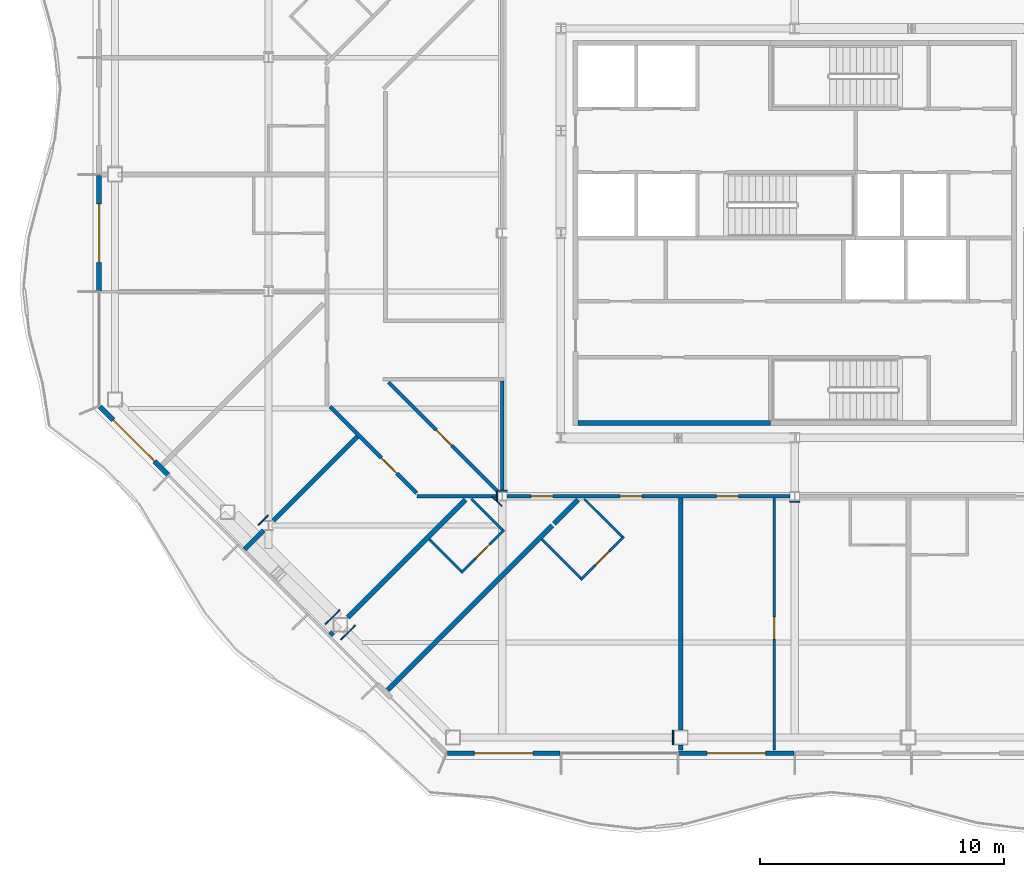
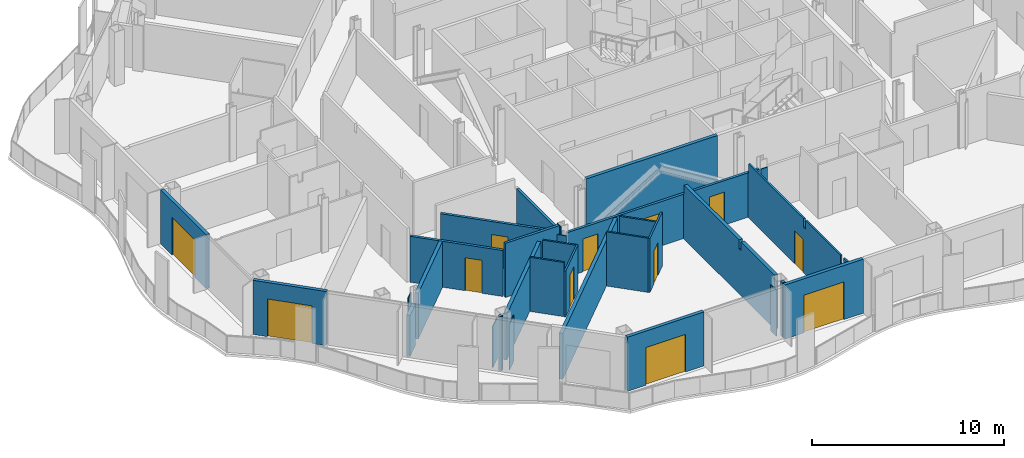
# One storey, part 7 of 21: 33 walls, 12 doors, 12 openings.
"""IFC4 building model written with IfcOpenShell, lengths in metres."""

from ifc_helpers import new_model, si_unit, direction, frame, frame_2d, origin, place, context, subcontext, project, spatial, polyline, rectangle, outline, extrude, material, layer, layer_set, type_object, element, fill, save


model = new_model("IFC4")

# Units and contexts
model_context = context("Model", 3, precision=1e-05, world=origin(), true_north=direction((0.0, 1.0)))
body_context = subcontext(model_context, "Body", "Model", "MODEL_VIEW")
ifc_project = project(units=[si_unit("LENGTHUNIT", "METRE"), si_unit("AREAUNIT", "SQUARE_METRE"), si_unit("VOLUMEUNIT", "CUBIC_METRE"), si_unit("PLANEANGLEUNIT", "RADIAN"), si_unit("MASSUNIT", "GRAM", prefix="KILO")], contexts=[model_context])

# Site, building, storey
site_placement = place(None, origin())
site = spatial("IfcSite", under=ifc_project, at=site_placement, CompositionType="ELEMENT")
building_placement = place(site_placement, origin())
building = spatial("IfcBuilding", under=site, at=building_placement, Name="Cairn Pilgrim Tower", CompositionType="ELEMENT")
storey_placement = place(building_placement, frame((0.0, 0.0, 154.199951171875)))
storey = spatial("IfcBuildingStorey", under=building, at=storey_placement, Name="L38", CompositionType="ELEMENT", Elevation=154.199951171875)

# Wall, opening, door
ifc_material_1 = material(Name="Bronze anodised aluminium insulated sandwich panel with mineral wool fill", Category="aluminium")
ifc_layer_1 = layer(ifc_material_1, 0.199951171875)
ifc_layer_set_1 = layer_set([ifc_layer_1], Name="BRONZE INFILL FRAME WALL 200")
wall_type_1 = type_object("IfcWallType", Name="BRONZE INFILL FRAME WALL 200", PredefinedType="NOTDEFINED", material=ifc_layer_set_1)
wall_1_placement = place(storey_placement, frame((-7.056396484375, -18.949951171875, 0.0), z_axis=(0.0, 0.0, 1.0), x_axis=(1.0, 0.0, 0.0)))
wall_1 = element("IfcWall", 1, at=wall_1_placement, inside=storey, type_object=wall_type_1, Name="Bronze infill frame wall IW-S1", PredefinedType="NOTDEFINED", context=body_context, shape_type="SweptSolid", body=[
    extrude(rectangle(XDim=4.62646484375, YDim=0.199951171875, at=frame_2d((2.313232421875, 0.0))), origin(), (0.0, 0.0, 1.0), 3.449951171875),
])
opening_1_placement = place(wall_1_placement, frame((1.1083984375, 0.0, 0.0)))
opening_1 = element("IfcOpeningElement", 2, at=opening_1_placement, cuts=wall_1, Name="Opening 3819B", PredefinedType="OPENING", context=body_context, shape_type="SweptSolid", body=[
    extrude(rectangle(XDim=2.39990234375, YDim=2.39990234375, at=frame_2d((1.199951171875, 1.199951171875))), frame((0.0, 0.10986328125, 0.0), z_axis=(0.0, -1.0, 0.0), x_axis=(1.0, 0.0, 0.0)), (0.0, 0.0, 1.0), 0.219970703125),
])
ifc_material_2 = material(Name="Bronze anodised aluminium frame with tinted low-E glass", Category="aluminium")
door_type_1 = type_object("IfcDoorType", Name="BALCONY SLIDING DOOR 2400x2400", OperationType="DOUBLE_DOOR_SLIDING", PredefinedType="DOOR", material=ifc_material_2)
door_1_placement = place(opening_1_placement, origin())
door_1 = element("IfcDoor", 3, at=door_1_placement, inside=storey, type_object=door_type_1, Name="Balcony sliding door 3819B", OperationType="SINGLE_SWING_LEFT", OverallHeight=2.39990234375, OverallWidth=2.39990234375, PredefinedType="DOOR", context=body_context, shape_type="SweptSolid", body=[
    extrude(rectangle(XDim=2.39990234375, YDim=2.39990234375, at=frame_2d((1.199951171875, 1.199951171875))), frame((0.0, 0.02490234375, 0.0), z_axis=(0.0, -1.0, 0.0), x_axis=(1.0, 0.0, 0.0)), (0.0, 0.0, 1.0), 0.050048828125),
])
fill(opening_1, door_1)

wall_2_placement = place(storey_placement, frame((2.429931640625, -18.949951171875, 0.0), z_axis=(0.0, 0.0, 1.0), x_axis=(1.0, 0.0, 0.0)))
wall_2 = element("IfcWall", 4, at=wall_2_placement, inside=storey, type_object=wall_type_1, Name="Bronze infill frame wall IW-S3", PredefinedType="NOTDEFINED", context=body_context, shape_type="SweptSolid", body=[
    extrude(rectangle(XDim=4.739990234375, YDim=0.199951171875, at=frame_2d((2.3701171875, 0.0))), origin(), (0.0, 0.0, 1.0), 3.449951171875),
])
opening_2_placement = place(wall_2_placement, frame((1.17041015625, 0.0, 0.0)))
opening_2 = element("IfcOpeningElement", 5, at=opening_2_placement, cuts=wall_2, Name="Opening 3820B", PredefinedType="OPENING", context=body_context, shape_type="SweptSolid", body=[
    extrude(rectangle(XDim=2.39990234375, YDim=2.39990234375, at=frame_2d((1.199951171875, 1.199951171875))), frame((0.0, 0.10986328125, 0.0), z_axis=(0.0, -1.0, 0.0), x_axis=(1.0, 0.0, 0.0)), (0.0, 0.0, 1.0), 0.219970703125),
])
door_2_placement = place(opening_2_placement, origin())
door_2 = element("IfcDoor", 6, at=door_2_placement, inside=storey, type_object=door_type_1, Name="Balcony sliding door 3820B", OperationType="SINGLE_SWING_LEFT", OverallHeight=2.39990234375, OverallWidth=2.39990234375, PredefinedType="DOOR", context=body_context, shape_type="SweptSolid", body=[
    extrude(rectangle(XDim=2.39990234375, YDim=2.39990234375, at=frame_2d((1.199951171875, 1.199951171875))), frame((0.0, 0.02490234375, 0.0), z_axis=(0.0, -1.0, 0.0), x_axis=(1.0, 0.0, 0.0)), (0.0, 0.0, 1.0), 0.050048828125),
])
fill(opening_2, door_2)

wall_3_placement = place(storey_placement, frame((-21.35009765625, 4.77001953125, 0.0), z_axis=(0.0, 0.0, 1.0), x_axis=(0.0, -1.0, 0.0)))
wall_3 = element("IfcWall", 7, at=wall_3_placement, inside=storey, type_object=wall_type_1, Name="Bronze infill frame wall IW-W3", PredefinedType="NOTDEFINED", context=body_context, shape_type="SweptSolid", body=[
    extrude(rectangle(XDim=4.739990234375, YDim=0.199951171875, at=frame_2d((2.3701171875, 0.0))), origin(), (0.0, 0.0, 1.0), 3.449951171875),
])
opening_3_placement = place(wall_3_placement, frame((1.169921875, 0.0, 0.0)))
opening_3 = element("IfcOpeningElement", 8, at=opening_3_placement, cuts=wall_3, Name="Opening 3815B", PredefinedType="OPENING", context=body_context, shape_type="SweptSolid", body=[
    extrude(rectangle(XDim=2.39990234375, YDim=2.39990234375, at=frame_2d((1.199951171875, 1.199951171875))), frame((0.0, 0.10986328125, 0.0), z_axis=(0.0, -1.0, 0.0), x_axis=(1.0, 0.0, 0.0)), (0.0, 0.0, 1.0), 0.219970703125),
])
door_3_placement = place(opening_3_placement, origin())
door_3 = element("IfcDoor", 9, at=door_3_placement, inside=storey, type_object=door_type_1, Name="Balcony sliding door 3815B", OperationType="SINGLE_SWING_LEFT", OverallHeight=2.39990234375, OverallWidth=2.39990234375, PredefinedType="DOOR", context=body_context, shape_type="SweptSolid", body=[
    extrude(rectangle(XDim=2.39990234375, YDim=2.39990234375, at=frame_2d((1.199951171875, 1.199951171875))), frame((0.0, 0.02490234375, 0.0), z_axis=(0.0, -1.0, 0.0), x_axis=(1.0, 0.0, 0.0)), (0.0, 0.0, 1.0), 0.050048828125),
])
fill(opening_3, door_3)

wall_4_placement = place(storey_placement, frame((-21.32177734375, -4.724609375, 0.0), z_axis=(0.0, 0.0, 1.0), x_axis=(0.707106781187, -0.707106781187, 0.0)))
wall_4 = element("IfcWall", 10, at=wall_4_placement, inside=storey, type_object=wall_type_1, Name="Bronze infill frame wall IW-SW1", PredefinedType="NOTDEFINED", context=body_context, shape_type="SweptSolid", body=[
    extrude(rectangle(XDim=3.961669921875, YDim=0.199951171875, at=frame_2d((1.98095703125, 0.0))), origin(), (0.0, 0.0, 1.0), 3.449951171875),
])
opening_4_placement = place(wall_4_placement, frame((0.775390625, 0.0, 0.0)))
opening_4 = element("IfcOpeningElement", 11, at=opening_4_placement, cuts=wall_4, Name="Opening 3822B", PredefinedType="OPENING", context=body_context, shape_type="SweptSolid", body=[
    extrude(rectangle(XDim=2.39990234375, YDim=2.39990234375, at=frame_2d((1.199951171875, 1.199951171875))), frame((0.0, 0.10986328125, 0.0), z_axis=(0.0, -1.0, 0.0), x_axis=(1.0, 0.0, 0.0)), (0.0, 0.0, 1.0), 0.219970703125),
])
door_4_placement = place(opening_4_placement, origin())
door_4 = element("IfcDoor", 12, at=door_4_placement, inside=storey, type_object=door_type_1, Name="Balcony sliding door 3822B", OperationType="SINGLE_SWING_LEFT", OverallHeight=2.39990234375, OverallWidth=2.39990234375, PredefinedType="DOOR", context=body_context, shape_type="SweptSolid", body=[
    extrude(rectangle(XDim=2.39990234375, YDim=2.39990234375, at=frame_2d((1.199951171875, 1.199951171875))), frame((0.0, 0.02490234375, 0.0), z_axis=(0.0, -1.0, 0.0), x_axis=(1.0, 0.0, 0.0)), (0.0, 0.0, 1.0), 0.050048828125),
])
fill(opening_4, door_4)

# Wall
ifc_material_3 = material(Name="Concrete C32/40", Category="concrete")
ifc_layer_2 = layer(ifc_material_3, 0.199951171875)
ifc_layer_set_2 = layer_set([ifc_layer_2], Name="CORE OUTER WALL 200 EI 120")
wall_type_2 = type_object("IfcWallType", Name="CORE OUTER WALL 200 EI 120", PredefinedType="SOLIDWALL", material=ifc_layer_set_2)
wall_5_placement = place(storey_placement, frame((-1.699951171875, -5.39990234375, 0.0), z_axis=(0.0, 0.0, 1.0), x_axis=(1.0, 0.0, 0.0)))
element("IfcWall", 13, at=wall_5_placement, inside=storey, type_object=wall_type_2, Name="CW:L38:H01-1", PredefinedType="SOLIDWALL", context=body_context, shape_type="SweptSolid", body=[
    extrude(rectangle(XDim=7.89990234375, YDim=0.199951171875, at=frame_2d((3.949951171875, 0.0))), origin(), (0.0, 0.0, 1.0), 3.449951171875),
])

# Wall, opening, door
ifc_material_4 = material(Name="Gypsum partition")
ifc_layer_3 = layer(ifc_material_4, 0.10009765625)
ifc_layer_set_3 = layer_set([ifc_layer_3], Name="PARTITION 100 DRYWALL")
wall_type_3 = type_object("IfcWallType", Name="PARTITION 100 DRYWALL", PredefinedType="PARTITIONING", material=ifc_layer_set_3)
wall_6_placement = place(storey_placement, frame((6.35791015625, -18.820068359375, 0.0), z_axis=(0.0, 0.0, 1.0), x_axis=(0.0, 1.0, 0.0)))
wall_6 = element("IfcWall", 14, at=wall_6_placement, inside=storey, type_object=wall_type_3, Name="PARTITION W002", PredefinedType="PARTITIONING", context=body_context, shape_type="SweptSolid", body=[
    extrude(outline(polyline([(0.0, 0.0), (10.344970703125, 0.0), (10.344970703125, 2.830078125), (10.27001953125, 2.830078125), (10.26806640625, 3.449951171875), (4.52490234375, 3.449951171875), (4.52294921875, 2.880126953125), (4.31494140625, 2.880126953125), (4.31298828125, 3.449951171875), (0.669921875, 3.449951171875), (0.66796875, 2.929931640625), (0.3701171875, 2.929931640625), (0.367919921875, 3.449951171875), (0.0, 3.449951171875), (0.0, 0.0)])), frame((0.0, 0.050048828125, 0.0), z_axis=(0.0, -1.0, 0.0), x_axis=(1.0, 0.0, 0.0)), (0.0, 0.0, 1.0), 0.10009765625),
])
opening_5_placement = place(wall_6_placement, frame((4.570068359375, 0.0, 0.0)))
opening_5 = element("IfcOpeningElement", 15, at=opening_5_placement, cuts=wall_6, Name="Opening 3820C", PredefinedType="OPENING", context=body_context, shape_type="SweptSolid", body=[
    extrude(rectangle(XDim=0.89990234375, YDim=2.10009765625, at=frame_2d((0.449951171875, 1.050048828125))), frame((0.0, 0.06005859375, 0.0), z_axis=(0.0, -1.0, 0.0), x_axis=(1.0, 0.0, 0.0)), (0.0, 0.0, 1.0), 0.1201171875),
])
ifc_material_5 = material(Name="Timber door leaf", Category="wood")
door_type_2 = type_object("IfcDoorType", Name="SERVICE DOOR 900x2100", OperationType="NOTDEFINED", PredefinedType="DOOR", material=ifc_material_5)
door_5_placement = place(opening_5_placement, origin())
door_5 = element("IfcDoor", 16, at=door_5_placement, inside=storey, type_object=door_type_2, Name="DOOR 3820C", OperationType="SINGLE_SWING_LEFT", OverallHeight=2.10009765625, OverallWidth=0.89990234375, PredefinedType="DOOR", context=body_context, shape_type="SweptSolid", body=[
    extrude(rectangle(XDim=0.89990234375, YDim=2.10009765625, at=frame_2d((0.449951171875, 1.050048828125))), frame((0.0, 0.02490234375, 0.0), z_axis=(0.0, -1.0, 0.0), x_axis=(1.0, 0.0, 0.0)), (0.0, 0.0, 1.0), 0.050048828125),
])
fill(opening_5, door_5)

# Wall
wall_7_placement = place(storey_placement, frame((-1.58740234375, -11.758544921875, 0.0), z_axis=(0.0, 0.0, 1.0), x_axis=(-0.706889644159, 0.707323851557, 0.0)))
element("IfcWall", 17, at=wall_7_placement, inside=storey, type_object=wall_type_3, Name="PARTITION W011", PredefinedType="PARTITIONING", context=body_context, shape_type="SweptSolid", body=[
    extrude(rectangle(XDim=2.2490234375, YDim=0.10009765625, at=frame_2d((1.12451171875, 0.0))), origin(), (0.0, 0.0, 1.0), 3.449951171875),
])

# Wall, opening, door
wall_8_placement = place(storey_placement, frame((-1.58740234375, -11.829345703125, 0.0), z_axis=(0.0, 0.0, 1.0), x_axis=(0.707350821469, 0.706862656651, 0.0)))
wall_8 = element("IfcWall", 18, at=wall_8_placement, inside=storey, type_object=wall_type_3, Name="PARTITION W012", PredefinedType="PARTITIONING", context=body_context, shape_type="SweptSolid", body=[
    extrude(rectangle(XDim=2.50048828125, YDim=0.10009765625, at=frame_2d((1.250244140625, 0.0))), origin(), (0.0, 0.0, 1.0), 3.449951171875),
])
opening_6_placement = place(wall_8_placement, frame((0.85009765625, 0.0, 0.0)))
opening_6 = element("IfcOpeningElement", 19, at=opening_6_placement, cuts=wall_8, Name="Opening 3819A", PredefinedType="OPENING", context=body_context, shape_type="SweptSolid", body=[
    extrude(rectangle(XDim=0.800048828125, YDim=2.10009765625, at=frame_2d((0.39990234375, 1.050048828125))), frame((0.0, 0.06005859375, 0.0), z_axis=(0.0, -1.0, 0.0), x_axis=(1.0, 0.0, 0.0)), (0.0, 0.0, 1.0), 0.1201171875),
])
door_type_3 = type_object("IfcDoorType", Name="WC DOOR 800x2100", OperationType="NOTDEFINED", PredefinedType="DOOR", material=ifc_material_5)
door_6_placement = place(opening_6_placement, frame((0.800048828125, 0.0, 0.0), z_axis=(0.0, 0.0, 1.0), x_axis=(-1.0, 0.0, 0.0)))
door_6 = element("IfcDoor", 20, at=door_6_placement, inside=storey, type_object=door_type_3, Name="DOOR 3819A", OperationType="SINGLE_SWING_RIGHT", OverallHeight=2.10009765625, OverallWidth=0.800048828125, PredefinedType="DOOR", context=body_context, shape_type="SweptSolid", body=[
    extrude(rectangle(XDim=0.800048828125, YDim=2.10009765625, at=frame_2d((0.39990234375, 1.050048828125))), frame((0.0, 0.02490234375, 0.0), z_axis=(0.0, -1.0, 0.0), x_axis=(1.0, 0.0, 0.0)), (0.0, 0.0, 1.0), 0.050048828125),
])
fill(opening_6, door_6)

# Wall
wall_9_placement = place(storey_placement, frame((-6.494384765625, -11.4755859375, 0.0), z_axis=(0.0, 0.0, 1.0), x_axis=(-0.707106781187, 0.707106781187, 0.0)))
element("IfcWall", 21, at=wall_9_placement, inside=storey, type_object=wall_type_3, Name="PARTITION W013", PredefinedType="PARTITIONING", context=body_context, shape_type="SweptSolid", body=[
    extrude(rectangle(XDim=1.849609375, YDim=0.10009765625, at=frame_2d((0.9248046875, 0.0))), origin(), (0.0, 0.0, 1.0), 3.449951171875),
])

# Wall, opening, door
wall_10_placement = place(storey_placement, frame((-6.494384765625, -11.54638671875, 0.0), z_axis=(0.0, 0.0, 1.0), x_axis=(0.707106781187, 0.707106781187, 0.0)))
wall_10 = element("IfcWall", 22, at=wall_10_placement, inside=storey, type_object=wall_type_3, Name="PARTITION W014", PredefinedType="PARTITIONING", context=body_context, shape_type="SweptSolid", body=[
    extrude(rectangle(XDim=2.499755859375, YDim=0.10009765625, at=frame_2d((1.25, 0.0))), origin(), (0.0, 0.0, 1.0), 2.929931640625),
])
opening_7_placement = place(wall_10_placement, frame((0.85009765625, 0.0, 0.0)))
opening_7 = element("IfcOpeningElement", 23, at=opening_7_placement, cuts=wall_10, Name="Opening 3818A", PredefinedType="OPENING", context=body_context, shape_type="SweptSolid", body=[
    extrude(rectangle(XDim=0.800048828125, YDim=2.10009765625, at=frame_2d((0.39990234375, 1.050048828125))), frame((0.0, 0.06005859375, 0.0), z_axis=(0.0, -1.0, 0.0), x_axis=(1.0, 0.0, 0.0)), (0.0, 0.0, 1.0), 0.1201171875),
])
door_7_placement = place(opening_7_placement, frame((0.800048828125, 0.0, 0.0), z_axis=(0.0, 0.0, 1.0), x_axis=(-1.0, 0.0, 0.0)))
door_7 = element("IfcDoor", 24, at=door_7_placement, inside=storey, type_object=door_type_3, Name="DOOR 3818A", OperationType="SINGLE_SWING_RIGHT", OverallHeight=2.10009765625, OverallWidth=0.800048828125, PredefinedType="DOOR", context=body_context, shape_type="SweptSolid", body=[
    extrude(rectangle(XDim=0.800048828125, YDim=2.10009765625, at=frame_2d((0.39990234375, 1.050048828125))), frame((0.0, 0.02490234375, 0.0), z_axis=(0.0, -1.0, 0.0), x_axis=(1.0, 0.0, 0.0)), (0.0, 0.0, 1.0), 0.050048828125),
])
fill(opening_7, door_7)

# Walls
wall_11_placement = place(storey_placement, frame((0.110595703125, -10.0615234375, 0.0), z_axis=(0.0, 0.0, 1.0), x_axis=(-0.70732924673, 0.706884245631, 0.0)))
element("IfcWall", 25, at=wall_11_placement, inside=storey, type_object=wall_type_3, Name="PARTITION W020", PredefinedType="PARTITIONING", context=body_context, shape_type="SweptSolid", body=[
    extrude(rectangle(XDim=2.194580078125, YDim=0.10009765625, at=frame_2d((1.09716796875, 0.0))), origin(), (0.0, 0.0, 1.0), 2.830078125),
])
wall_12_placement = place(storey_placement, frame((-4.79736328125, -9.778564453125, 0.0), z_axis=(0.0, 0.0, 1.0), x_axis=(-0.707174840937, 0.707038714885, 0.0)))
element("IfcWall", 26, at=wall_12_placement, inside=storey, type_object=wall_type_3, Name="PARTITION W021", PredefinedType="PARTITIONING", context=body_context, shape_type="SweptSolid", body=[
    extrude(rectangle(XDim=1.79345703125, YDim=0.10009765625, at=frame_2d((0.896728515625, 0.0))), origin(), (0.0, 0.0, 1.0), 2.929931640625),
])
ifc_layer_4 = layer(ifc_material_4, 0.14990234375)
ifc_layer_set_4 = layer_set([ifc_layer_4], Name="PARTITION 150 DRYWALL EI 60")
wall_type_4 = type_object("IfcWallType", Name="PARTITION 150 DRYWALL EI 60", PredefinedType="PARTITIONING", material=ifc_layer_set_4)
wall_13_placement = place(storey_placement, frame((-8.300048828125, -8.39990234375, 0.0), z_axis=(0.0, 0.0, 1.0), x_axis=(1.0, 0.0, 0.0)))
element("IfcWall", 27, at=wall_13_placement, inside=storey, type_object=wall_type_4, Name="PARTITION W026", PredefinedType="PARTITIONING", context=body_context, shape_type="SweptSolid", body=[
    extrude(rectangle(XDim=3.300537109375, YDim=0.14990234375, at=frame_2d((1.650390625, 0.0))), origin(), (0.0, 0.0, 1.0), 3.449951171875),
])

# Wall, openings, doors
wall_14_placement = place(storey_placement, frame((-4.6005859375, -8.39990234375, 0.0), z_axis=(0.0, 0.0, 1.0), x_axis=(1.0, 0.0, 0.0)))
wall_14 = element("IfcWall", 28, at=wall_14_placement, inside=storey, type_object=wall_type_4, Name="PARTITION W027", PredefinedType="PARTITIONING", context=body_context, shape_type="SweptSolid", body=[
    extrude(rectangle(XDim=11.60107421875, YDim=0.14990234375, at=frame_2d((5.800537109375, 0.0))), origin(), (0.0, 0.0, 1.0), 2.830078125),
])
opening_8_placement = place(wall_14_placement, frame((0.974365234375, 0.0, 0.0)))
opening_8 = element("IfcOpeningElement", 29, at=opening_8_placement, cuts=wall_14, Name="Opening 3818", PredefinedType="OPENING", context=body_context, shape_type="SweptSolid", body=[
    extrude(rectangle(XDim=0.89990234375, YDim=2.10009765625, at=frame_2d((0.449951171875, 1.050048828125))), frame((0.0, 0.0849609375, 0.0), z_axis=(0.0, -1.0, 0.0), x_axis=(1.0, 0.0, 0.0)), (0.0, 0.0, 1.0), 0.169921875),
])
opening_9_placement = place(wall_14_placement, frame((4.636474609375, 0.0, 0.0)))
opening_9 = element("IfcOpeningElement", 30, at=opening_9_placement, cuts=wall_14, Name="Opening 3819", PredefinedType="OPENING", context=body_context, shape_type="SweptSolid", body=[
    extrude(rectangle(XDim=0.89990234375, YDim=2.10009765625, at=frame_2d((0.449951171875, 1.050048828125))), frame((0.0, 0.0849609375, 0.0), z_axis=(0.0, -1.0, 0.0), x_axis=(1.0, 0.0, 0.0)), (0.0, 0.0, 1.0), 0.169921875),
])
opening_10_placement = place(wall_14_placement, frame((8.591552734375, 0.0, 0.0)))
opening_10 = element("IfcOpeningElement", 31, at=opening_10_placement, cuts=wall_14, Name="Opening 3820", PredefinedType="OPENING", context=body_context, shape_type="SweptSolid", body=[
    extrude(rectangle(XDim=0.89990234375, YDim=2.10009765625, at=frame_2d((0.449951171875, 1.050048828125))), frame((0.0, 0.0849609375, 0.0), z_axis=(0.0, -1.0, 0.0), x_axis=(1.0, 0.0, 0.0)), (0.0, 0.0, 1.0), 0.169921875),
])
door_type_4 = type_object("IfcDoorType", Name="ROOM DOOR 900x2100 FD30S", OperationType="NOTDEFINED", PredefinedType="DOOR", material=ifc_material_5)
door_8_placement = place(opening_8_placement, frame((0.89990234375, 0.0, 0.0), z_axis=(0.0, 0.0, 1.0), x_axis=(-1.0, 0.0, 0.0)))
door_8 = element("IfcDoor", 32, at=door_8_placement, inside=storey, type_object=door_type_4, Name="DOOR 3818", OperationType="SINGLE_SWING_RIGHT", OverallHeight=2.10009765625, OverallWidth=0.89990234375, PredefinedType="DOOR", context=body_context, shape_type="SweptSolid", body=[
    extrude(rectangle(XDim=0.89990234375, YDim=2.10009765625, at=frame_2d((0.449951171875, 1.050048828125))), frame((0.0, 0.02490234375, 0.0), z_axis=(0.0, -1.0, 0.0), x_axis=(1.0, 0.0, 0.0)), (0.0, 0.0, 1.0), 0.050048828125),
])
fill(opening_8, door_8)
door_9_placement = place(opening_9_placement, frame((0.89990234375, 0.0, 0.0), z_axis=(0.0, 0.0, 1.0), x_axis=(-1.0, 0.0, 0.0)))
door_9 = element("IfcDoor", 33, at=door_9_placement, inside=storey, type_object=door_type_4, Name="DOOR 3819", OperationType="SINGLE_SWING_RIGHT", OverallHeight=2.10009765625, OverallWidth=0.89990234375, PredefinedType="DOOR", context=body_context, shape_type="SweptSolid", body=[
    extrude(rectangle(XDim=0.89990234375, YDim=2.10009765625, at=frame_2d((0.449951171875, 1.050048828125))), frame((0.0, 0.02490234375, 0.0), z_axis=(0.0, -1.0, 0.0), x_axis=(1.0, 0.0, 0.0)), (0.0, 0.0, 1.0), 0.050048828125),
])
fill(opening_9, door_9)
door_10_placement = place(opening_10_placement, frame((0.89990234375, 0.0, 0.0), z_axis=(0.0, 0.0, 1.0), x_axis=(-1.0, 0.0, 0.0)))
door_10 = element("IfcDoor", 34, at=door_10_placement, inside=storey, type_object=door_type_4, Name="DOOR 3820", OperationType="SINGLE_SWING_LEFT", OverallHeight=2.10009765625, OverallWidth=0.89990234375, PredefinedType="DOOR", context=body_context, shape_type="SweptSolid", body=[
    extrude(rectangle(XDim=0.89990234375, YDim=2.10009765625, at=frame_2d((0.449951171875, 1.050048828125))), frame((0.0, 0.02490234375, 0.0), z_axis=(0.0, -1.0, 0.0), x_axis=(1.0, 0.0, 0.0)), (0.0, 0.0, 1.0), 0.050048828125),
])
fill(opening_10, door_10)

# Wall, opening, door
wall_15_placement = place(storey_placement, frame((-8.322021484375, -8.27197265625, 0.0), z_axis=(0.0, 0.0, 1.0), x_axis=(-0.707106781187, 0.707106781187, 0.0)))
wall_15 = element("IfcWall", 35, at=wall_15_placement, inside=storey, type_object=wall_type_4, Name="PARTITION W030", PredefinedType="PARTITIONING", context=body_context, shape_type="SweptSolid", body=[
    extrude(rectangle(XDim=5.0205078125, YDim=0.14990234375, at=frame_2d((2.51025390625, 0.0))), origin(), (0.0, 0.0, 1.0), 2.929931640625),
])
opening_11_placement = place(wall_15_placement, frame((1.138916015625, 0.0, 0.0)))
opening_11 = element("IfcOpeningElement", 36, at=opening_11_placement, cuts=wall_15, Name="Opening 3817", PredefinedType="OPENING", context=body_context, shape_type="SweptSolid", body=[
    extrude(rectangle(XDim=0.89990234375, YDim=2.10009765625, at=frame_2d((0.449951171875, 1.050048828125))), frame((0.0, 0.0849609375, 0.0), z_axis=(0.0, -1.0, 0.0), x_axis=(1.0, 0.0, 0.0)), (0.0, 0.0, 1.0), 0.169921875),
])
door_type_5 = type_object("IfcDoorType", Name="SERVICE DOOR 900x2100 FD30S", OperationType="NOTDEFINED", PredefinedType="DOOR", material=ifc_material_5)
door_11_placement = place(opening_11_placement, origin())
door_11 = element("IfcDoor", 37, at=door_11_placement, inside=storey, type_object=door_type_5, Name="DOOR 3817", OperationType="SINGLE_SWING_RIGHT", OverallHeight=2.10009765625, OverallWidth=0.89990234375, PredefinedType="DOOR", context=body_context, shape_type="SweptSolid", body=[
    extrude(rectangle(XDim=0.89990234375, YDim=2.10009765625, at=frame_2d((0.449951171875, 1.050048828125))), frame((0.0, 0.02490234375, 0.0), z_axis=(0.0, -1.0, 0.0), x_axis=(1.0, 0.0, 0.0)), (0.0, 0.0, 1.0), 0.050048828125),
])
fill(opening_11, door_11)

wall_16_placement = place(storey_placement, frame((-4.998046875, -8.201904296875, 0.0), z_axis=(0.0, 0.0, 1.0), x_axis=(-0.707106781187, 0.707106781187, 0.0)))
wall_16 = element("IfcWall", 38, at=wall_16_placement, inside=storey, type_object=wall_type_4, Name="PARTITION W032", PredefinedType="PARTITIONING", context=body_context, shape_type="SweptSolid", body=[
    extrude(rectangle(XDim=6.326904296875, YDim=0.14990234375, at=frame_2d((3.16357421875, 0.0))), origin(), (0.0, 0.0, 1.0), 2.929931640625),
])
opening_12_placement = place(wall_16_placement, frame((2.664306640625, 0.0, 0.0)))
opening_12 = element("IfcOpeningElement", 39, at=opening_12_placement, cuts=wall_16, Name="Opening 3829", PredefinedType="OPENING", context=body_context, shape_type="SweptSolid", body=[
    extrude(rectangle(XDim=0.89990234375, YDim=2.10009765625, at=frame_2d((0.449951171875, 1.050048828125))), frame((0.0, 0.0849609375, 0.0), z_axis=(0.0, -1.0, 0.0), x_axis=(1.0, 0.0, 0.0)), (0.0, 0.0, 1.0), 0.169921875),
])
door_12_placement = place(opening_12_placement, frame((0.89990234375, 0.0, 0.0), z_axis=(0.0, 0.0, 1.0), x_axis=(-1.0, 0.0, 0.0)))
door_12 = element("IfcDoor", 40, at=door_12_placement, inside=storey, type_object=door_type_5, Name="DOOR 3829", OperationType="SINGLE_SWING_LEFT", OverallHeight=2.10009765625, OverallWidth=0.89990234375, PredefinedType="DOOR", context=body_context, shape_type="SweptSolid", body=[
    extrude(rectangle(XDim=0.89990234375, YDim=2.10009765625, at=frame_2d((0.449951171875, 1.050048828125))), frame((0.0, 0.02490234375, 0.0), z_axis=(0.0, -1.0, 0.0), x_axis=(1.0, 0.0, 0.0)), (0.0, 0.0, 1.0), 0.050048828125),
])
fill(opening_12, door_12)

# Walls
wall_17_placement = place(storey_placement, frame((-4.800048828125, -8.20361328125, 0.0), z_axis=(0.0, 0.0, 1.0), x_axis=(0.0, 1.0, 0.0)))
element("IfcWall", 41, at=wall_17_placement, inside=storey, type_object=wall_type_4, Name="PARTITION W033", PredefinedType="PARTITIONING", context=body_context, shape_type="SweptSolid", body=[
    extrude(rectangle(XDim=4.528564453125, YDim=0.14990234375, at=frame_2d((2.26416015625, 0.0))), origin(), (0.0, 0.0, 1.0), 2.830078125),
])
ifc_layer_5 = layer(ifc_material_4, 0.050048828125)
ifc_layer_set_5 = layer_set([ifc_layer_5], Name="PARTITION 50 DRYWALL EI 60")
wall_type_5 = type_object("IfcWallType", Name="PARTITION 50 DRYWALL EI 60", PredefinedType="PARTITIONING", material=ifc_layer_set_5)
wall_18_placement = place(storey_placement, frame((2.19921875, -18.60009765625, 0.0), z_axis=(0.0, 0.0, 1.0), x_axis=(0.0, 1.0, 0.0)))
element("IfcWall", 42, at=wall_18_placement, inside=storey, type_object=wall_type_5, Name="COLUMN CASING WC01", PredefinedType="PARTITIONING", context=body_context, shape_type="SweptSolid", body=[
    extrude(rectangle(XDim=0.60009765625, YDim=0.050048828125, at=frame_2d((0.300048828125, 0.0))), origin(), (0.0, 0.0, 1.0), 2.929931640625),
])
wall_19_placement = place(storey_placement, frame((-12.069091796875, -13.657958984375, 0.0), z_axis=(0.0, 0.0, 1.0), x_axis=(0.707106781187, 0.707106781187, 0.0)))
element("IfcWall", 43, at=wall_19_placement, inside=storey, type_object=wall_type_5, Name="COLUMN CASING WC03", PredefinedType="PARTITIONING", context=body_context, shape_type="SweptSolid", body=[
    extrude(rectangle(XDim=0.848388671875, YDim=0.050048828125, at=frame_2d((0.42431640625, 0.0))), origin(), (0.0, 0.0, 1.0), 2.630126953125),
])
wall_20_placement = place(storey_placement, frame((-11.433837890625, -14.29345703125, 0.0), z_axis=(0.0, 0.0, 1.0), x_axis=(0.707106781187, 0.707106781187, 0.0)))
element("IfcWall", 44, at=wall_20_placement, inside=storey, type_object=wall_type_5, Name="COLUMN CASING WC04", PredefinedType="PARTITIONING", context=body_context, shape_type="SweptSolid", body=[
    extrude(rectangle(XDim=0.8486328125, YDim=0.050048828125, at=frame_2d((0.42431640625, 0.0))), origin(), (0.0, 0.0, 1.0), 2.929931640625),
])
wall_21_placement = place(storey_placement, frame((-14.813720703125, -9.582275390625, 0.0), z_axis=(0.0, 0.0, 1.0), x_axis=(0.707106781187, 0.707106781187, 0.0)))
element("IfcWall", 45, at=wall_21_placement, inside=storey, type_object=wall_type_5, Name="COLUMN CASING WC07", PredefinedType="PARTITIONING", context=body_context, shape_type="SweptSolid", body=[
    extrude(rectangle(XDim=0.56005859375, YDim=0.050048828125, at=frame_2d((0.280029296875, 0.0))), origin(), (0.0, 0.0, 1.0), 2.929931640625),
])
wall_22_placement = place(storey_placement, frame((-4.99951171875, -8.178466796875, 0.0), z_axis=(0.0, 0.0, 1.0), x_axis=(1.0, 0.0, 0.0)))
element("IfcWall", 46, at=wall_22_placement, inside=storey, type_object=wall_type_5, Name="COLUMN CASING WC10", PredefinedType="PARTITIONING", context=body_context, shape_type="SweptSolid", body=[
    extrude(rectangle(XDim=0.39892578125, YDim=0.050048828125, at=frame_2d((0.199462890625, 0.0))), origin(), (0.0, 0.0, 1.0), 2.830078125),
])
wall_23_placement = place(storey_placement, frame((7.00048828125, -8.62158203125, 0.0), z_axis=(0.0, 0.0, 1.0), x_axis=(1.0, 0.0, 0.0)))
element("IfcWall", 47, at=wall_23_placement, inside=storey, type_object=wall_type_5, Name="COLUMN CASING WC11", PredefinedType="PARTITIONING", context=body_context, shape_type="SweptSolid", body=[
    extrude(rectangle(XDim=0.39892578125, YDim=0.050048828125, at=frame_2d((0.199462890625, 0.0))), origin(), (0.0, 0.0, 1.0), 2.929931640625),
])
wall_24_placement = place(storey_placement, frame((-4.817626953125, -8.813720703125, 0.0), z_axis=(0.0, 0.0, 1.0), x_axis=(-0.707106781187, 0.707106781187, 0.0)))
element("IfcWall", 48, at=wall_24_placement, inside=storey, type_object=wall_type_5, Name="COLUMN CASING WC13", PredefinedType="PARTITIONING", context=body_context, shape_type="SweptSolid", body=[
    extrude(rectangle(XDim=0.56005859375, YDim=0.050048828125, at=frame_2d((0.280029296875, 0.0))), origin(), (0.0, 0.0, 1.0), 2.929931640625),
])
wall_25_placement = place(storey_placement, frame((-5.0244140625, -8.596435546875, 0.0), z_axis=(0.0, 0.0, 1.0), x_axis=(0.0, 1.0, 0.0)))
element("IfcWall", 49, at=wall_25_placement, inside=storey, type_object=wall_type_5, Name="COLUMN CASING WC14", PredefinedType="PARTITIONING", context=body_context, shape_type="SweptSolid", body=[
    extrude(rectangle(XDim=0.392822265625, YDim=0.050048828125, at=frame_2d((0.1962890625, 0.0))), origin(), (0.0, 0.0, 1.0), 3.449951171875),
])
ifc_layer_6 = layer(ifc_material_4, 0.199951171875)
ifc_layer_set_6 = layer_set([ifc_layer_6], Name="SHAFT WALL 200 GYPSUM EI 60")
wall_type_6 = type_object("IfcWallType", Name="SHAFT WALL 200 GYPSUM EI 60", PredefinedType="PARTITIONING", material=ifc_layer_set_6)
wall_26_placement = place(storey_placement, frame((2.52392578125, -18.820068359375, 0.0), z_axis=(0.0, 0.0, 1.0), x_axis=(0.0, 1.0, 0.0)))
element("IfcWall", 50, at=wall_26_placement, inside=storey, type_object=wall_type_6, Name="PARTITION W001", PredefinedType="PARTITIONING", context=body_context, shape_type="SweptSolid", body=[
    extrude(rectangle(XDim=0.219970703125, YDim=0.199951171875, at=frame_2d((0.10986328125, 0.0))), origin(), (0.0, 0.0, 1.0), 3.449951171875),
])
wall_27_placement = place(storey_placement, frame((2.52392578125, -18.0, 0.0), z_axis=(0.0, 0.0, 1.0), x_axis=(0.0, 1.0, 0.0)))
element("IfcWall", 51, at=wall_27_placement, inside=storey, type_object=wall_type_6, Name="PARTITION W004", PredefinedType="PARTITIONING", context=body_context, shape_type="SweptSolid", body=[
    extrude(outline(polyline([(0.0, 0.0), (9.52490234375, 0.0), (9.52490234375, 2.830078125), (9.449951171875, 2.830078125), (9.447998046875, 3.449951171875), (3.705078125, 3.449951171875), (3.702880859375, 2.880126953125), (3.4951171875, 2.880126953125), (3.492919921875, 3.449951171875), (0.0, 3.449951171875), (0.0, 0.0)])), frame((0.0, 0.10009765625, 0.0), z_axis=(0.0, -1.0, 0.0), x_axis=(1.0, 0.0, 0.0)), (0.0, 0.0, 1.0), 0.199951171875),
])
wall_28_placement = place(storey_placement, frame((-9.50732421875, -16.355224609375, 0.0), z_axis=(0.0, 0.0, 1.0), x_axis=(0.707170680804, 0.707042875794, 0.0)))
element("IfcWall", 52, at=wall_28_placement, inside=storey, type_object=wall_type_6, Name="PARTITION W006", PredefinedType="PARTITIONING", context=body_context, shape_type="SweptSolid", body=[
    extrude(rectangle(XDim=9.55126953125, YDim=0.199951171875, at=frame_2d((4.775634765625, 0.0))), origin(), (0.0, 0.0, 1.0), 2.929931640625),
])
wall_29_placement = place(storey_placement, frame((-11.868896484375, -14.0927734375, 0.0), z_axis=(0.0, 0.0, 1.0), x_axis=(0.707106781187, 0.707106781187, 0.0)))
element("IfcWall", 53, at=wall_29_placement, inside=storey, type_object=wall_type_6, Name="PARTITION W007", PredefinedType="PARTITIONING", context=body_context, shape_type="SweptSolid", body=[
    extrude(rectangle(XDim=0.165771484375, YDim=0.199951171875, at=frame_2d((0.0830078125, 0.0))), origin(), (0.0, 0.0, 1.0), 3.449951171875),
])
wall_30_placement = place(storey_placement, frame((-11.151611328125, -13.37548828125, 0.0), z_axis=(0.0, 0.0, 1.0), x_axis=(0.707106781187, 0.707106781187, 0.0)))
element("IfcWall", 54, at=wall_30_placement, inside=storey, type_object=wall_type_6, Name="PARTITION W009", PredefinedType="PARTITIONING", context=body_context, shape_type="SweptSolid", body=[
    extrude(rectangle(XDim=6.830322265625, YDim=0.199951171875, at=frame_2d((3.4150390625, 0.0))), origin(), (0.0, 0.0, 1.0), 2.929931640625),
])
wall_31_placement = place(storey_placement, frame((-15.380859375, -10.580810546875, 0.0), z_axis=(0.0, 0.0, 1.0), x_axis=(0.707217034054, 0.706996511125, 0.0)))
element("IfcWall", 55, at=wall_31_placement, inside=storey, type_object=wall_type_6, Name="PARTITION W017", PredefinedType="PARTITIONING", context=body_context, shape_type="SweptSolid", body=[
    extrude(rectangle(XDim=1.107177734375, YDim=0.199951171875, at=frame_2d((0.5537109375, 0.0))), origin(), (0.0, 0.0, 1.0), 2.630126953125),
])
wall_32_placement = place(storey_placement, frame((-2.6826171875, -9.531005859375, 0.0), z_axis=(0.0, 0.0, 1.0), x_axis=(0.707019164958, 0.70719438656, 0.0)))
element("IfcWall", 56, at=wall_32_placement, inside=storey, type_object=wall_type_6, Name="PARTITION W022", PredefinedType="PARTITIONING", context=body_context, shape_type="SweptSolid", body=[
    extrude(rectangle(XDim=1.393310546875, YDim=0.199951171875, at=frame_2d((0.69677734375, 0.0))), origin(), (0.0, 0.0, 1.0), 2.830078125),
])
wall_33_placement = place(storey_placement, frame((-14.201904296875, -9.402099609375, 0.0), z_axis=(0.0, 0.0, 1.0), x_axis=(0.707081776084, 0.707131785404, 0.0)))
element("IfcWall", 57, at=wall_33_placement, inside=storey, type_object=wall_type_6, Name="PARTITION W024", PredefinedType="PARTITIONING", context=body_context, shape_type="SweptSolid", body=[
    extrude(rectangle(XDim=4.8818359375, YDim=0.199951171875, at=frame_2d((2.44091796875, 0.0))), origin(), (0.0, 0.0, 1.0), 2.929931640625),
])

save(model, "model.ifc")
